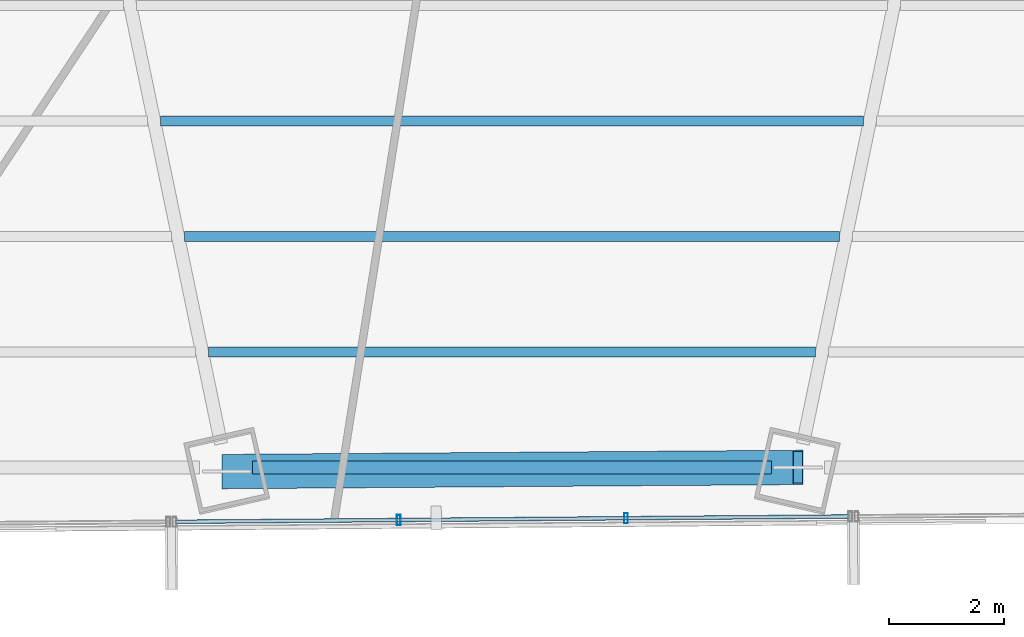
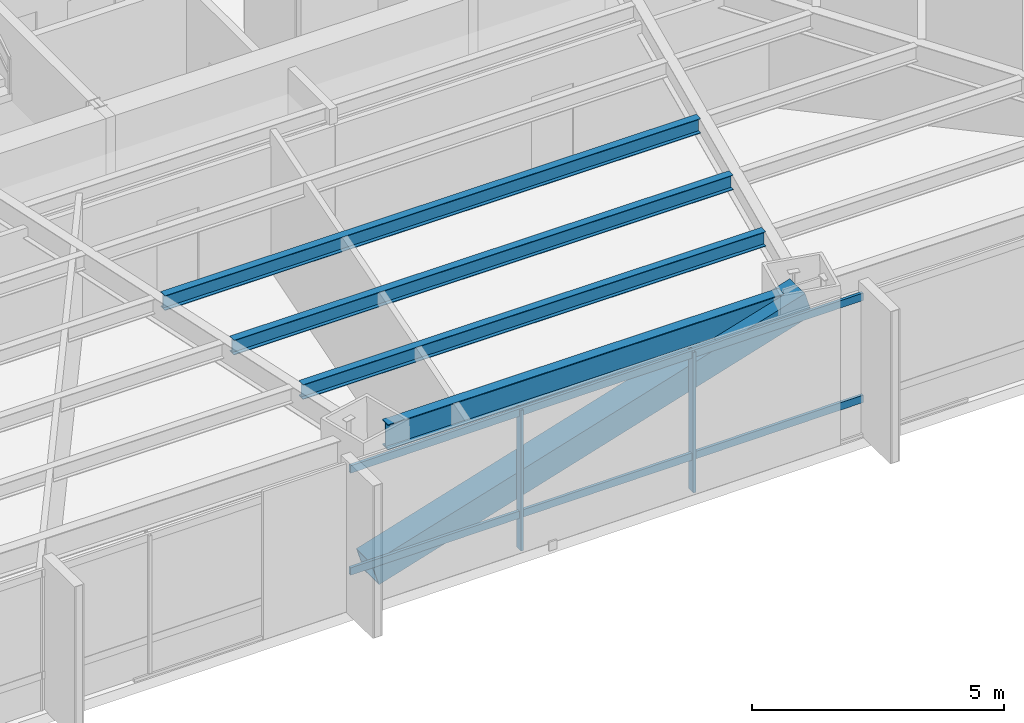
# One storey, part 8 of 34: 5 members, 4 beams, 1 element without a shape of its own.
"""IFC4 building model written with IfcOpenShell, lengths in metres."""

from ifc_helpers import new_model, si_unit, direction, frame, origin, origin_2d, place, context, subcontext, project, spatial, hollow_rectangle, i_section, extrude, source, transform, mapped, material, material_profile, profile_set, type_object, type_shapes, element, aggregate, save


model = new_model("IFC4")

# Units and contexts
model_context = context("Model", 3, precision=1e-05, world=origin(), true_north=direction((0.0, 1.0)))
body_context = subcontext(model_context, "Body", "Model", "MODEL_VIEW")
ifc_project = project(units=[si_unit("LENGTHUNIT", "METRE"), si_unit("AREAUNIT", "SQUARE_METRE"), si_unit("VOLUMEUNIT", "CUBIC_METRE"), si_unit("PLANEANGLEUNIT", "RADIAN"), si_unit("MASSUNIT", "GRAM", prefix="KILO")], contexts=[model_context])

# Site, building, storey
site_placement = place(None, origin())
site = spatial("IfcSite", under=ifc_project, at=site_placement, CompositionType="ELEMENT")
building_placement = place(site_placement, origin())
building = spatial("IfcBuilding", under=site, at=building_placement, Name="Caelisora Broadcast Tower", CompositionType="ELEMENT")
storey_placement = place(building_placement, frame((0.0, 0.0, 49.5)))
storey = spatial("IfcBuildingStorey", under=building, at=storey_placement, Name="L12", CompositionType="ELEMENT", Elevation=49.5)

# Beams
ifc_material_1 = material(Name="Steel Grade 350 (AS/NZS 3679.1)", Category="steel")
ifc_material_profile_1 = material_profile(ifc_material_1, i_section(OverallWidth=0.22900390625, OverallDepth=0.611572265625, WebThickness=0.011962890625, FlangeThickness=0.01953125, at=origin_2d()), Name="Steel Grade 350 (AS/NZS 3679.1)")
ifc_profile_set_1 = profile_set([ifc_material_profile_1], Name="Steel Grade 350 (AS/NZS 3679.1)")
beam_type_1 = type_object("IfcBeamType", Name="PG03", PredefinedType="BEAM", material=ifc_profile_set_1)
shared_shape_1 = source(origin(), body_context, "Body", "SweptSolid", [
    extrude(i_section(OverallWidth=0.22900390625, OverallDepth=0.611572265625, WebThickness=0.011962890625, FlangeThickness=0.01953125, at=origin_2d()), origin(), (0.0, 0.0, 1.0), 9.064453125),
])
type_shapes(beam_type_1, [shared_shape_1])
beam_1_placement = place(storey_placement, frame((33.4677734375, 5.30615234375, 3.09423828125), z_axis=(1.0, 0.0, 0.0), x_axis=(0.0, 1.0, 0.0)))
element("IfcBeam", 1, at=beam_1_placement, inside=storey, type_object=beam_type_1, Name="L12 beam PG03", PredefinedType="BEAM", context=body_context, shape_type="MappedRepresentation", body=[
    mapped(shared_shape_1, transform((0.0, 0.0, 0.0), scale=1.0)),
])
ifc_material_profile_2 = material_profile(ifc_material_1, i_section(OverallWidth=0.172119140625, OverallDepth=0.358642578125, WebThickness=0.008056640625, FlangeThickness=0.012939453125, at=origin_2d()), Name="Steel Grade 350 (AS/NZS 3679.1)")
ifc_profile_set_2 = profile_set([ifc_material_profile_2], Name="Steel Grade 350 (AS/NZS 3679.1)")
beam_type_2 = type_object("IfcBeamType", Name="SB02", PredefinedType="JOIST", material=ifc_profile_set_2)
shared_shape_2 = source(origin(), body_context, "Body", "SweptSolid", [
    extrude(i_section(OverallWidth=0.172119140625, OverallDepth=0.358642578125, WebThickness=0.008056640625, FlangeThickness=0.012939453125, at=origin_2d()), origin(), (0.0, 0.0, 1.0), 12.265625),
])
beam_2_placement = place(storey_placement, frame((31.8671875, 11.35302734375, 3.220703125), z_axis=(1.0, 0.0, 0.0), x_axis=(0.0, 1.0, 0.0)))
element("IfcBeam", 2, at=beam_2_placement, inside=storey, type_object=beam_type_2, Name="L12 beam SB02", PredefinedType="JOIST", context=body_context, shape_type="MappedRepresentation", body=[
    mapped(shared_shape_2, transform((0.0, 0.0, 0.0), scale=1.0)),
])
shared_shape_3 = source(origin(), body_context, "Body", "SweptSolid", [
    extrude(i_section(OverallWidth=0.172119140625, OverallDepth=0.358642578125, WebThickness=0.008056640625, FlangeThickness=0.012939453125, at=origin_2d()), origin(), (0.0, 0.0, 1.0), 11.42919921875),
])
beam_3_placement = place(storey_placement, frame((32.285400390625, 9.33740234375, 3.220703125), z_axis=(1.0, 0.0, 0.0), x_axis=(0.0, 1.0, 0.0)))
element("IfcBeam", 3, at=beam_3_placement, inside=storey, type_object=beam_type_2, Name="L12 beam SB02", PredefinedType="JOIST", context=body_context, shape_type="MappedRepresentation", body=[
    mapped(shared_shape_3, transform((0.0, 0.0, 0.0), scale=1.0)),
])
shared_shape_4 = source(origin(), body_context, "Body", "SweptSolid", [
    extrude(i_section(OverallWidth=0.172119140625, OverallDepth=0.358642578125, WebThickness=0.008056640625, FlangeThickness=0.012939453125, at=origin_2d()), origin(), (0.0, 0.0, 1.0), 10.59375),
])
type_shapes(beam_type_2, [shared_shape_2, shared_shape_3, shared_shape_4])
beam_4_placement = place(storey_placement, frame((32.703125, 7.32177734375, 3.220703125), z_axis=(1.0, 0.0, 0.0), x_axis=(0.0, 1.0, 0.0)))
element("IfcBeam", 4, at=beam_4_placement, inside=storey, type_object=beam_type_2, Name="L12 beam SB02", PredefinedType="JOIST", context=body_context, shape_type="MappedRepresentation", body=[
    mapped(shared_shape_4, transform((0.0, 0.0, 0.0), scale=1.0)),
])

# Member
ifc_material_2 = material(Name="Steel Grade 450 L15 (AS/NZS 3678)", Category="steel")
ifc_material_profile_3 = material_profile(ifc_material_2, hollow_rectangle(XDim=0.60009765625, YDim=0.60009765625, WallThickness=0.02490234375, at=origin_2d()), Name="Steel Grade 450 L15 (AS/NZS 3678)")
ifc_profile_set_3 = profile_set([ifc_material_profile_3], Name="Steel Grade 450 L15 (AS/NZS 3678)")
member_type_1 = type_object("IfcMemberType", Name="BR01", PredefinedType="BRACE", material=ifc_profile_set_3)
shared_shape_5 = source(origin(), body_context, "Body", "SweptSolid", [
    extrude(hollow_rectangle(XDim=0.60009765625, YDim=0.60009765625, WallThickness=0.02490234375, at=origin_2d()), origin(), (0.0, 0.0, 1.0), 10.409912109375),
])
type_shapes(member_type_1, [shared_shape_5])
member_1_placement = place(storey_placement, frame((33.024169921875, 5.23388671875, 0.10009765625), z_axis=(0.957549156114, 0.006941990992, 0.288186436854), x_axis=(-0.007249558441, 0.999973721606, 0.0)))
element("IfcMember", 5, at=member_1_placement, inside=storey, type_object=member_type_1, Name="L12 perimeter brace BR01", PredefinedType="BRACE", context=body_context, shape_type="MappedRepresentation", body=[
    mapped(shared_shape_5, transform((0.0, 0.0, 0.0), scale=1.0)),
])

# Curtain wall, members
ifc_material_3 = material(Name="Unitised Aluminium Insulated Shadow-Box Spandrel Curtain Wall", Category="aluminium")
curtain_wall_type = type_object("IfcCurtainWallType", Name="CW-SP1", PredefinedType="NOTDEFINED", material=ifc_material_3)
curtain_wall_placement = place(storey_placement, origin())
curtain_wall = element("IfcCurtainWall", 6, at=curtain_wall_placement, inside=storey, type_object=curtain_wall_type, Name="L12 curtain wall CW-SP1", PredefinedType="NOTDEFINED")
ifc_material_4 = material(Name="Aluminium 6063-T6 Anodised Terracotta Bronze", Category="aluminium")
ifc_material_profile_4 = material_profile(ifc_material_4, hollow_rectangle(XDim=0.06494140625, YDim=0.179931640625, WallThickness=0.00341796875, at=origin_2d()), Name="Aluminium 6063-T6 Anodised Terracotta Bronze")
ifc_profile_set_4 = profile_set([ifc_material_profile_4], Name="Aluminium 6063-T6 Anodised Terracotta Bronze")
member_type_2 = type_object("IfcMemberType", Name="CWM-02", PredefinedType="MULLION", material=ifc_profile_set_4)
shared_shape_6 = source(origin(), body_context, "Body", "SweptSolid", [
    extrude(hollow_rectangle(XDim=0.06494140625, YDim=0.179931640625, WallThickness=0.00341796875, at=origin_2d()), origin(), (0.0, 0.0, 1.0), 3.39990234375),
])
type_shapes(member_type_2, [shared_shape_6])
member_2_placement = place(storey_placement, frame((39.98828125, 4.419677734375, 0.0), z_axis=(0.0, 0.0, 1.0), x_axis=(1.0, 0.0, 0.0)))
member_2 = element("IfcMember", 7, at=member_2_placement, type_object=member_type_2, Name="L12-CW-B06 mullion #1", PredefinedType="MULLION", context=body_context, shape_type="MappedRepresentation", body=[
    mapped(shared_shape_6, transform((0.0, 0.0, 0.0), scale=1.0)),
])
member_3_placement = place(storey_placement, frame((36.024658203125, 4.388427734375, 0.0), z_axis=(0.0, 0.0, 1.0), x_axis=(1.0, 0.0, 0.0)))
member_3 = element("IfcMember", 8, at=member_3_placement, type_object=member_type_2, Name="L12-CW-B06 mullion #2", PredefinedType="MULLION", context=body_context, shape_type="MappedRepresentation", body=[
    mapped(shared_shape_6, transform((0.0, 0.0, 0.0), scale=1.0)),
])
ifc_material_profile_5 = material_profile(ifc_material_4, hollow_rectangle(XDim=0.06494140625, YDim=0.179931640625, WallThickness=0.00341796875, at=origin_2d()), Name="Aluminium 6063-T6 Anodised Terracotta Bronze")
ifc_profile_set_5 = profile_set([ifc_material_profile_5], Name="Aluminium 6063-T6 Anodised Terracotta Bronze")
member_type_3 = type_object("IfcMemberType", Name="CWT-01", PredefinedType="USERDEFINED", material=ifc_profile_set_5)
shared_shape_7 = source(origin(), body_context, "Body", "SweptSolid", [
    extrude(hollow_rectangle(XDim=0.06494140625, YDim=0.179931640625, WallThickness=0.00341796875, at=origin_2d()), origin(), (0.0, 0.0, 1.0), 11.79150390625),
])
type_shapes(member_type_3, [shared_shape_7])
member_4_placement = place(storey_placement, frame((43.902099609375, 4.450439453125, 0.85009765625), z_axis=(-0.999968884459, -0.007888606613, 0.0), x_axis=(0.007888606613, -0.999968884459, 0.0)))
member_4 = element("IfcMember", 9, at=member_4_placement, type_object=member_type_3, Name="L12-CW-B06 transom #1", ObjectType="TRANSOM", PredefinedType="USERDEFINED", context=body_context, shape_type="MappedRepresentation", body=[
    mapped(shared_shape_7, transform((0.0, 0.0, 0.0), scale=1.0)),
])
member_5_placement = place(storey_placement, frame((43.902099609375, 4.450439453125, 3.320068359375), z_axis=(-0.999968884459, -0.007888606613, 0.0), x_axis=(0.007888606613, -0.999968884459, 0.0)))
member_5 = element("IfcMember", 10, at=member_5_placement, type_object=member_type_3, Name="L12-CW-B06 transom #2", ObjectType="TRANSOM", PredefinedType="USERDEFINED", context=body_context, shape_type="MappedRepresentation", body=[
    mapped(shared_shape_7, transform((0.0, 0.0, 0.0), scale=1.0)),
])
aggregate(curtain_wall, [member_2, member_3, member_4, member_5])

save(model, "model.ifc")
